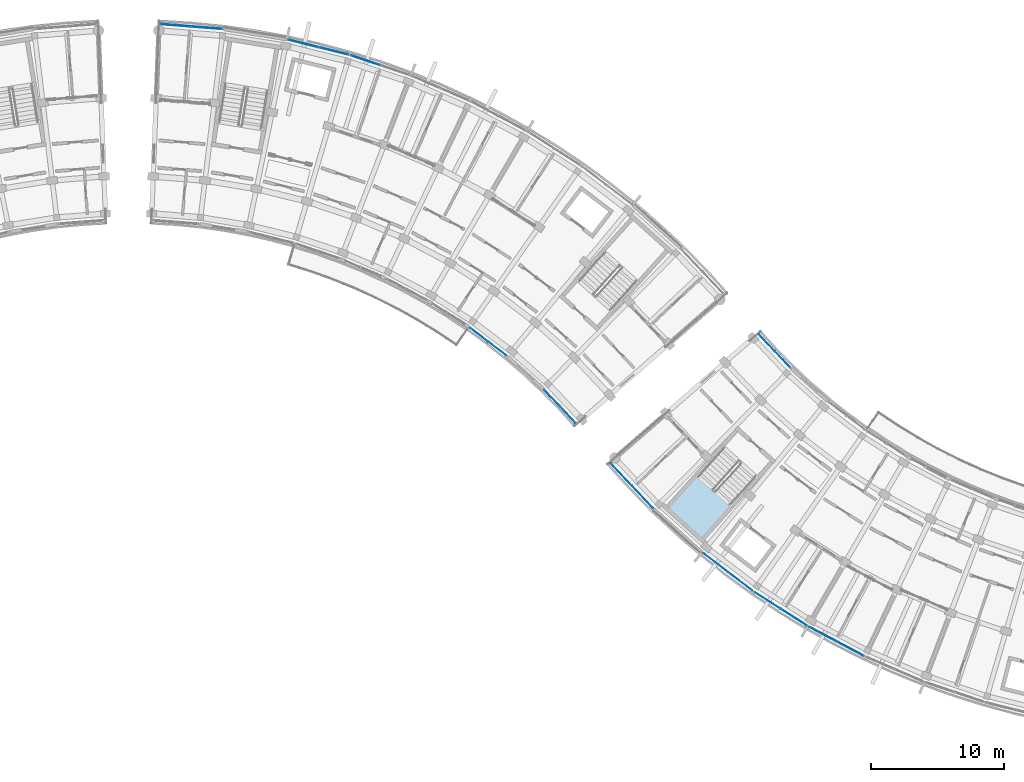
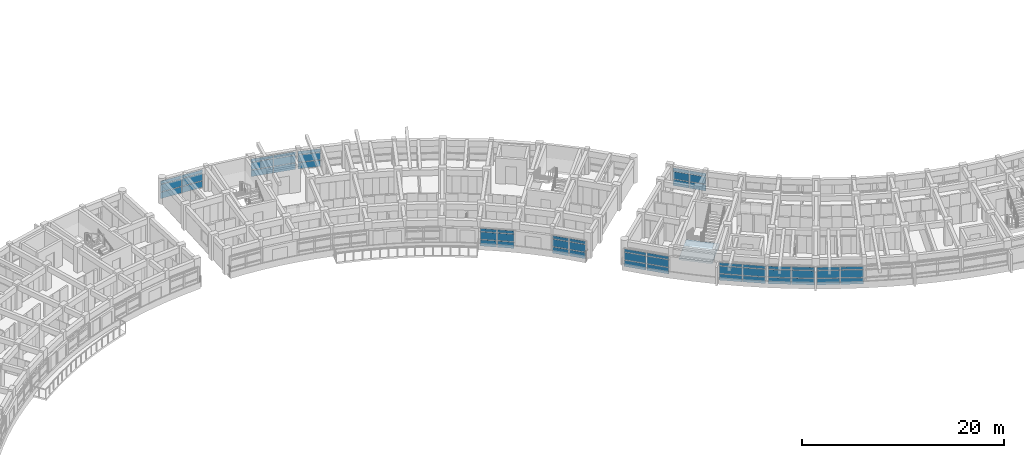
# One storey, part 22 of 56: 57 plates, 1 slab, 11 elements without a shape of their own.
"""IFC4 building model written with IfcOpenShell, lengths in metres."""

from ifc_helpers import new_model, si_unit, direction, frame, origin, origin_2d, place, context, subcontext, project, spatial, polyline, rectangle, outline, extrude, material, layer, layer_set, type_object, element, aggregate, save


model = new_model("IFC4")

# Units and contexts
model_context = context("Model", 3, precision=1e-05, world=origin(), true_north=direction((0.0, 1.0)))
body_context = subcontext(model_context, "Body", "Model", "MODEL_VIEW")
ifc_project = project(units=[si_unit("LENGTHUNIT", "METRE"), si_unit("AREAUNIT", "SQUARE_METRE"), si_unit("VOLUMEUNIT", "CUBIC_METRE"), si_unit("PLANEANGLEUNIT", "RADIAN"), si_unit("MASSUNIT", "GRAM", prefix="KILO")], contexts=[model_context])

# Site, building, storey
site_placement = place(None, origin())
site = spatial("IfcSite", under=ifc_project, at=site_placement, CompositionType="ELEMENT")
building_placement = place(site_placement, origin())
building = spatial("IfcBuilding", under=site, at=building_placement, Name="Zimvara Arc Housing Community", CompositionType="ELEMENT")
storey_placement = place(building_placement, frame((0.0, 0.0, 17.39990234375)))
storey = spatial("IfcBuildingStorey", under=building, at=storey_placement, Name="L05", CompositionType="ELEMENT", Elevation=17.39990234375)

# Curtain wall, plates
ifc_material_1 = material(Name="Anodised Aluminium AW-6063", Category="aluminium")
curtain_wall_type_1 = type_object("IfcCurtainWallType", Name="CW-SYS-08", PredefinedType="USERDEFINED", material=ifc_material_1)
curtain_wall_1_placement = place(storey_placement, origin())
curtain_wall_1 = element("IfcCurtainWall", 1, at=curtain_wall_1_placement, inside=storey, type_object=curtain_wall_type_1, Name="cw:blkB:L05:in:b9", ObjectType="CURTAIN WALL", PredefinedType="USERDEFINED")
ifc_material_2 = material(Name="Pale-Gold Anodised Aluminium Spandrel Panel", Category="aluminium")
ifc_layer_1 = layer(ifc_material_2, 0.035888671875)
ifc_layer_set_1 = layer_set([ifc_layer_1], Name="Pale-Gold Anodised Aluminium Spandrel Panel")
plate_type_1 = type_object("IfcPlateType", Name="CWP-GLD-36", PredefinedType="CURTAIN_PANEL", material=ifc_layer_set_1)
plate_1_placement = place(storey_placement, frame((76.831298828125, 75.727294921875, 0.065185546875), z_axis=(0.0, 0.0, 1.0), x_axis=(0.686326805658, -0.727293280483, 0.0)))
plate_1 = element("IfcPlate", 2, at=plate_1_placement, type_object=plate_type_1, Name="CW08 panel 1.1", PredefinedType="CURTAIN_PANEL", context=body_context, shape_type="SweptSolid", body=[
    extrude(rectangle(XDim=1.664306640625, YDim=0.035888671875, at=origin_2d()), origin(), (0.0, 0.0, 1.0), 0.75244140625),
])
plate_2_placement = place(storey_placement, frame((76.831298828125, 75.727294921875, 0.8828125), z_axis=(0.0, 0.0, 1.0), x_axis=(0.686326805658, -0.727293280483, 0.0)))
plate_2 = element("IfcPlate", 3, at=plate_2_placement, type_object=plate_type_1, Name="CW08 panel 1.2", PredefinedType="CURTAIN_PANEL", context=body_context, shape_type="SweptSolid", body=[
    extrude(rectangle(XDim=1.664306640625, YDim=0.035888671875, at=origin_2d()), origin(), (0.0, 0.0, 1.0), 0.885009765625),
])
plate_3_placement = place(storey_placement, frame((76.831298828125, 75.727294921875, 1.83251953125), z_axis=(0.0, 0.0, 1.0), x_axis=(0.686326805658, -0.727293280483, 0.0)))
plate_3 = element("IfcPlate", 4, at=plate_3_placement, type_object=plate_type_1, Name="CW08 panel 1.3", PredefinedType="CURTAIN_PANEL", context=body_context, shape_type="SweptSolid", body=[
    extrude(rectangle(XDim=1.664306640625, YDim=0.035888671875, at=origin_2d()), origin(), (0.0, 0.0, 1.0), 0.3525390625),
])
plate_4_placement = place(storey_placement, frame((78.018310546875, 74.469482421875, 0.065185546875), z_axis=(0.0, 0.0, 1.0), x_axis=(0.686326805658, -0.727293280483, 0.0)))
plate_4 = element("IfcPlate", 5, at=plate_4_placement, type_object=plate_type_1, Name="CW08 panel 2.1", PredefinedType="CURTAIN_PANEL", context=body_context, shape_type="SweptSolid", body=[
    extrude(rectangle(XDim=1.664306640625, YDim=0.035888671875, at=origin_2d()), origin(), (0.0, 0.0, 1.0), 0.75244140625),
])
plate_5_placement = place(storey_placement, frame((78.018310546875, 74.469482421875, 0.8828125), z_axis=(0.0, 0.0, 1.0), x_axis=(0.686326805658, -0.727293280483, 0.0)))
plate_5 = element("IfcPlate", 6, at=plate_5_placement, type_object=plate_type_1, Name="CW08 panel 2.2", PredefinedType="CURTAIN_PANEL", context=body_context, shape_type="SweptSolid", body=[
    extrude(rectangle(XDim=1.664306640625, YDim=0.035888671875, at=origin_2d()), origin(), (0.0, 0.0, 1.0), 0.885009765625),
])
plate_6_placement = place(storey_placement, frame((78.018310546875, 74.469482421875, 1.83251953125), z_axis=(0.0, 0.0, 1.0), x_axis=(0.686326805658, -0.727293280483, 0.0)))
plate_6 = element("IfcPlate", 7, at=plate_6_placement, type_object=plate_type_1, Name="CW08 panel 2.3", PredefinedType="CURTAIN_PANEL", context=body_context, shape_type="SweptSolid", body=[
    extrude(rectangle(XDim=1.664306640625, YDim=0.035888671875, at=origin_2d()), origin(), (0.0, 0.0, 1.0), 0.3525390625),
])
aggregate(curtain_wall_1, [plate_1, plate_2, plate_3, plate_4, plate_5, plate_6])

curtain_wall_2_placement = place(storey_placement, origin())
curtain_wall_2 = element("IfcCurtainWall", 8, at=curtain_wall_2_placement, inside=storey, type_object=curtain_wall_type_1, Name="cw:blkC:L05:in:b0", ObjectType="CURTAIN WALL", PredefinedType="USERDEFINED")
plate_7_placement = place(storey_placement, frame((92.961669921875, 79.890625, 0.065185546875), z_axis=(0.0, 0.0, 1.0), x_axis=(0.686326805658, -0.727293280483, 0.0)))
plate_7 = element("IfcPlate", 9, at=plate_7_placement, type_object=plate_type_1, Name="CW08 panel 1.1", PredefinedType="CURTAIN_PANEL", context=body_context, shape_type="SweptSolid", body=[
    extrude(rectangle(XDim=1.664306640625, YDim=0.035888671875, at=origin_2d()), origin(), (0.0, 0.0, 1.0), 0.75244140625),
])
plate_8_placement = place(storey_placement, frame((92.961669921875, 79.890625, 0.8828125), z_axis=(0.0, 0.0, 1.0), x_axis=(0.686326805658, -0.727293280483, 0.0)))
plate_8 = element("IfcPlate", 10, at=plate_8_placement, type_object=plate_type_1, Name="CW08 panel 1.2", PredefinedType="CURTAIN_PANEL", context=body_context, shape_type="SweptSolid", body=[
    extrude(rectangle(XDim=1.664306640625, YDim=0.035888671875, at=origin_2d()), origin(), (0.0, 0.0, 1.0), 0.885009765625),
])
plate_9_placement = place(storey_placement, frame((92.961669921875, 79.890625, 1.83251953125), z_axis=(0.0, 0.0, 1.0), x_axis=(0.686326805658, -0.727293280483, 0.0)))
plate_9 = element("IfcPlate", 11, at=plate_9_placement, type_object=plate_type_1, Name="CW08 panel 1.3", PredefinedType="CURTAIN_PANEL", context=body_context, shape_type="SweptSolid", body=[
    extrude(rectangle(XDim=1.664306640625, YDim=0.035888671875, at=origin_2d()), origin(), (0.0, 0.0, 1.0), 0.3525390625),
])
plate_10_placement = place(storey_placement, frame((94.148681640625, 78.6328125, 0.065185546875), z_axis=(0.0, 0.0, 1.0), x_axis=(0.686326805658, -0.727293280483, 0.0)))
plate_10 = element("IfcPlate", 12, at=plate_10_placement, type_object=plate_type_1, Name="CW08 panel 2.1", PredefinedType="CURTAIN_PANEL", context=body_context, shape_type="SweptSolid", body=[
    extrude(rectangle(XDim=1.664306640625, YDim=0.035888671875, at=origin_2d()), origin(), (0.0, 0.0, 1.0), 0.75244140625),
])
plate_11_placement = place(storey_placement, frame((94.148681640625, 78.6328125, 0.8828125), z_axis=(0.0, 0.0, 1.0), x_axis=(0.686326805658, -0.727293280483, 0.0)))
plate_11 = element("IfcPlate", 13, at=plate_11_placement, type_object=plate_type_1, Name="CW08 panel 2.2", PredefinedType="CURTAIN_PANEL", context=body_context, shape_type="SweptSolid", body=[
    extrude(rectangle(XDim=1.664306640625, YDim=0.035888671875, at=origin_2d()), origin(), (0.0, 0.0, 1.0), 0.885009765625),
])
plate_12_placement = place(storey_placement, frame((94.148681640625, 78.6328125, 1.83251953125), z_axis=(0.0, 0.0, 1.0), x_axis=(0.686326805658, -0.727293280483, 0.0)))
plate_12 = element("IfcPlate", 14, at=plate_12_placement, type_object=plate_type_1, Name="CW08 panel 2.3", PredefinedType="CURTAIN_PANEL", context=body_context, shape_type="SweptSolid", body=[
    extrude(rectangle(XDim=1.664306640625, YDim=0.035888671875, at=origin_2d()), origin(), (0.0, 0.0, 1.0), 0.3525390625),
])
aggregate(curtain_wall_2, [plate_7, plate_8, plate_9, plate_10, plate_11, plate_12])

ifc_material_3 = material(Name="Anodised Aluminium AW-6063", Category="aluminium")
curtain_wall_type_2 = type_object("IfcCurtainWallType", Name="CW-SYS-05", PredefinedType="USERDEFINED", material=ifc_material_3)
curtain_wall_3_placement = place(storey_placement, origin())
curtain_wall_3 = element("IfcCurtainWall", 15, at=curtain_wall_3_placement, inside=storey, type_object=curtain_wall_type_2, Name="cw:blkB:L05:out:b2", ObjectType="CURTAIN WALL", PredefinedType="USERDEFINED")
ifc_material_4 = material(Name="Solar Control Low-E Double Glazing", Category="glass")
ifc_layer_2 = layer(ifc_material_4, 0.02392578125)
ifc_layer_set_2 = layer_set([ifc_layer_2], Name="Solar Control Low-E Double Glazing")
plate_type_2 = type_object("IfcPlateType", Name="CWP-GLZ-24", PredefinedType="CURTAIN_PANEL", material=ifc_layer_set_2)
plate_13_placement = place(storey_placement, frame((58.12109375, 102.373291015625, 0.065185546875), z_axis=(0.0, 0.0, 1.0), x_axis=(0.970716068627, -0.240229711131, 0.0)))
plate_13 = element("IfcPlate", 16, at=plate_13_placement, type_object=plate_type_2, Name="CW05 panel 1.1", PredefinedType="CURTAIN_PANEL", context=body_context, shape_type="SweptSolid", body=[
    extrude(rectangle(XDim=2.266845703125, YDim=0.02392578125, at=origin_2d()), origin(), (0.0, 0.0, 1.0), 0.75244140625),
])
plate_14_placement = place(storey_placement, frame((58.12109375, 102.373291015625, 0.8828125), z_axis=(0.0, 0.0, 1.0), x_axis=(0.970716068627, -0.240229711131, 0.0)))
plate_14 = element("IfcPlate", 17, at=plate_14_placement, type_object=plate_type_2, Name="CW05 panel 1.2", PredefinedType="CURTAIN_PANEL", context=body_context, shape_type="SweptSolid", body=[
    extrude(rectangle(XDim=2.266845703125, YDim=0.02392578125, at=origin_2d()), origin(), (0.0, 0.0, 1.0), 0.885009765625),
])
plate_15_placement = place(storey_placement, frame((58.12109375, 102.373291015625, 1.83251953125), z_axis=(0.0, 0.0, 1.0), x_axis=(0.970716068627, -0.240229711131, 0.0)))
plate_15 = element("IfcPlate", 18, at=plate_15_placement, type_object=plate_type_2, Name="CW05 panel 1.3", PredefinedType="CURTAIN_PANEL", context=body_context, shape_type="SweptSolid", body=[
    extrude(rectangle(XDim=2.266845703125, YDim=0.02392578125, at=origin_2d()), origin(), (0.0, 0.0, 1.0), 0.3525390625),
])
plate_16_placement = place(storey_placement, frame((60.384765625, 101.81298828125, 0.065185546875), z_axis=(0.0, 0.0, 1.0), x_axis=(0.970716068627, -0.240229711131, 0.0)))
plate_16 = element("IfcPlate", 19, at=plate_16_placement, type_object=plate_type_2, Name="CW05 panel 2.1", PredefinedType="CURTAIN_PANEL", context=body_context, shape_type="SweptSolid", body=[
    extrude(rectangle(XDim=2.266845703125, YDim=0.02392578125, at=origin_2d()), origin(), (0.0, 0.0, 1.0), 0.75244140625),
])
plate_17_placement = place(storey_placement, frame((60.384765625, 101.81298828125, 0.8828125), z_axis=(0.0, 0.0, 1.0), x_axis=(0.970716068627, -0.240229711131, 0.0)))
plate_17 = element("IfcPlate", 20, at=plate_17_placement, type_object=plate_type_2, Name="CW05 panel 2.2", PredefinedType="CURTAIN_PANEL", context=body_context, shape_type="SweptSolid", body=[
    extrude(rectangle(XDim=2.266845703125, YDim=0.02392578125, at=origin_2d()), origin(), (0.0, 0.0, 1.0), 0.885009765625),
])
plate_18_placement = place(storey_placement, frame((60.384765625, 101.81298828125, 1.83251953125), z_axis=(0.0, 0.0, 1.0), x_axis=(0.970716068627, -0.240229711131, 0.0)))
plate_18 = element("IfcPlate", 21, at=plate_18_placement, type_object=plate_type_2, Name="CW05 panel 2.3", PredefinedType="CURTAIN_PANEL", context=body_context, shape_type="SweptSolid", body=[
    extrude(rectangle(XDim=2.266845703125, YDim=0.02392578125, at=origin_2d()), origin(), (0.0, 0.0, 1.0), 0.3525390625),
])
aggregate(curtain_wall_3, [plate_13, plate_14, plate_15, plate_16, plate_17, plate_18])

ifc_material_5 = material(Name="Anodised Aluminium AW-6063", Category="aluminium")
curtain_wall_type_3 = type_object("IfcCurtainWallType", Name="CW-SYS-01", PredefinedType="USERDEFINED", material=ifc_material_5)
curtain_wall_4_placement = place(storey_placement, origin())
curtain_wall_4 = element("IfcCurtainWall", 22, at=curtain_wall_4_placement, inside=storey, type_object=curtain_wall_type_3, Name="cw:blkC:L05:out:b2", ObjectType="CURTAIN WALL", PredefinedType="USERDEFINED")
plate_19_placement = place(storey_placement, frame((89.098876953125, 63.370849609375, 0.065185546875), z_axis=(0.0, 0.0, 1.0), x_axis=(0.795473999177, -0.60598771987, 0.0)))
plate_19 = element("IfcPlate", 23, at=plate_19_placement, type_object=plate_type_2, Name="CW01 panel 1.1", PredefinedType="CURTAIN_PANEL", context=body_context, shape_type="SweptSolid", body=[
    extrude(rectangle(XDim=2.266845703125, YDim=0.02392578125, at=origin_2d()), origin(), (0.0, 0.0, 1.0), 0.75244140625),
])
plate_20_placement = place(storey_placement, frame((89.098876953125, 63.370849609375, 0.8828125), z_axis=(0.0, 0.0, 1.0), x_axis=(0.795473999177, -0.60598771987, 0.0)))
plate_20 = element("IfcPlate", 24, at=plate_20_placement, type_object=plate_type_2, Name="CW01 panel 1.2", PredefinedType="CURTAIN_PANEL", context=body_context, shape_type="SweptSolid", body=[
    extrude(rectangle(XDim=2.266845703125, YDim=0.02392578125, at=origin_2d()), origin(), (0.0, 0.0, 1.0), 0.885009765625),
])
plate_21_placement = place(storey_placement, frame((89.098876953125, 63.370849609375, 1.83251953125), z_axis=(0.0, 0.0, 1.0), x_axis=(0.795473999177, -0.60598771987, 0.0)))
plate_21 = element("IfcPlate", 25, at=plate_21_placement, type_object=plate_type_2, Name="CW01 panel 1.3", PredefinedType="CURTAIN_PANEL", context=body_context, shape_type="SweptSolid", body=[
    extrude(rectangle(XDim=2.266845703125, YDim=0.02392578125, at=origin_2d()), origin(), (0.0, 0.0, 1.0), 0.3525390625),
])
plate_22_placement = place(storey_placement, frame((90.953857421875, 61.95751953125, 0.065185546875), z_axis=(0.0, 0.0, 1.0), x_axis=(0.795473999177, -0.60598771987, 0.0)))
plate_22 = element("IfcPlate", 26, at=plate_22_placement, type_object=plate_type_2, Name="CW01 panel 2.1", PredefinedType="CURTAIN_PANEL", context=body_context, shape_type="SweptSolid", body=[
    extrude(rectangle(XDim=2.266845703125, YDim=0.02392578125, at=origin_2d()), origin(), (0.0, 0.0, 1.0), 0.75244140625),
])
plate_23_placement = place(storey_placement, frame((90.953857421875, 61.95751953125, 0.8828125), z_axis=(0.0, 0.0, 1.0), x_axis=(0.795473999177, -0.60598771987, 0.0)))
plate_23 = element("IfcPlate", 27, at=plate_23_placement, type_object=plate_type_2, Name="CW01 panel 2.2", PredefinedType="CURTAIN_PANEL", context=body_context, shape_type="SweptSolid", body=[
    extrude(rectangle(XDim=2.266845703125, YDim=0.02392578125, at=origin_2d()), origin(), (0.0, 0.0, 1.0), 0.885009765625),
])
plate_24_placement = place(storey_placement, frame((90.953857421875, 61.95751953125, 1.83251953125), z_axis=(0.0, 0.0, 1.0), x_axis=(0.795473999177, -0.60598771987, 0.0)))
plate_24 = element("IfcPlate", 28, at=plate_24_placement, type_object=plate_type_2, Name="CW01 panel 2.3", PredefinedType="CURTAIN_PANEL", context=body_context, shape_type="SweptSolid", body=[
    extrude(rectangle(XDim=2.266845703125, YDim=0.02392578125, at=origin_2d()), origin(), (0.0, 0.0, 1.0), 0.3525390625),
])
aggregate(curtain_wall_4, [plate_19, plate_20, plate_21, plate_22, plate_23, plate_24])

curtain_wall_5_placement = place(storey_placement, origin())
curtain_wall_5 = element("IfcCurtainWall", 29, at=curtain_wall_5_placement, inside=storey, type_object=curtain_wall_type_2, Name="cw:blkC:L05:out:b4", ObjectType="CURTAIN WALL", PredefinedType="USERDEFINED")
plate_25_placement = place(storey_placement, frame((97.15087890625, 57.991455078125, 0.065185546875), z_axis=(0.0, 0.0, 1.0), x_axis=(0.883438614651, -0.468546917761, 0.0)))
plate_25 = element("IfcPlate", 30, at=plate_25_placement, type_object=plate_type_2, Name="CW05 panel 1.1", PredefinedType="CURTAIN_PANEL", context=body_context, shape_type="SweptSolid", body=[
    extrude(rectangle(XDim=2.266845703125, YDim=0.02392578125, at=origin_2d()), origin(), (0.0, 0.0, 1.0), 0.75244140625),
])
plate_26_placement = place(storey_placement, frame((97.15087890625, 57.991455078125, 0.8828125), z_axis=(0.0, 0.0, 1.0), x_axis=(0.883438614651, -0.468546917761, 0.0)))
plate_26 = element("IfcPlate", 31, at=plate_26_placement, type_object=plate_type_2, Name="CW05 panel 1.2", PredefinedType="CURTAIN_PANEL", context=body_context, shape_type="SweptSolid", body=[
    extrude(rectangle(XDim=2.266845703125, YDim=0.02392578125, at=origin_2d()), origin(), (0.0, 0.0, 1.0), 0.885009765625),
])
plate_27_placement = place(storey_placement, frame((97.15087890625, 57.991455078125, 1.83251953125), z_axis=(0.0, 0.0, 1.0), x_axis=(0.883438614651, -0.468546917761, 0.0)))
plate_27 = element("IfcPlate", 32, at=plate_27_placement, type_object=plate_type_2, Name="CW05 panel 1.3", PredefinedType="CURTAIN_PANEL", context=body_context, shape_type="SweptSolid", body=[
    extrude(rectangle(XDim=2.266845703125, YDim=0.02392578125, at=origin_2d()), origin(), (0.0, 0.0, 1.0), 0.3525390625),
])
plate_28_placement = place(storey_placement, frame((99.2109375, 56.89892578125, 0.065185546875), z_axis=(0.0, 0.0, 1.0), x_axis=(0.883438614651, -0.468546917761, 0.0)))
plate_28 = element("IfcPlate", 33, at=plate_28_placement, type_object=plate_type_2, Name="CW05 panel 2.1", PredefinedType="CURTAIN_PANEL", context=body_context, shape_type="SweptSolid", body=[
    extrude(rectangle(XDim=2.266845703125, YDim=0.02392578125, at=origin_2d()), origin(), (0.0, 0.0, 1.0), 0.75244140625),
])
plate_29_placement = place(storey_placement, frame((99.2109375, 56.89892578125, 0.8828125), z_axis=(0.0, 0.0, 1.0), x_axis=(0.883438614651, -0.468546917761, 0.0)))
plate_29 = element("IfcPlate", 34, at=plate_29_placement, type_object=plate_type_2, Name="CW05 panel 2.2", PredefinedType="CURTAIN_PANEL", context=body_context, shape_type="SweptSolid", body=[
    extrude(rectangle(XDim=2.266845703125, YDim=0.02392578125, at=origin_2d()), origin(), (0.0, 0.0, 1.0), 0.885009765625),
])
plate_30_placement = place(storey_placement, frame((99.2109375, 56.89892578125, 1.83251953125), z_axis=(0.0, 0.0, 1.0), x_axis=(0.883438614651, -0.468546917761, 0.0)))
plate_30 = element("IfcPlate", 35, at=plate_30_placement, type_object=plate_type_2, Name="CW05 panel 2.3", PredefinedType="CURTAIN_PANEL", context=body_context, shape_type="SweptSolid", body=[
    extrude(rectangle(XDim=2.266845703125, YDim=0.02392578125, at=origin_2d()), origin(), (0.0, 0.0, 1.0), 0.3525390625),
])
aggregate(curtain_wall_5, [plate_25, plate_26, plate_27, plate_28, plate_29, plate_30])

ifc_material_6 = material(Name="Anodised Aluminium AW-6063", Category="aluminium")
curtain_wall_type_4 = type_object("IfcCurtainWallType", Name="CW-SYS-06", PredefinedType="USERDEFINED", material=ifc_material_6)
curtain_wall_6_placement = place(storey_placement, origin())
curtain_wall_6 = element("IfcCurtainWall", 36, at=curtain_wall_6_placement, inside=storey, type_object=curtain_wall_type_4, Name="cw:blkB:L05:in:b7", ObjectType="CURTAIN WALL", PredefinedType="USERDEFINED")
ifc_material_7 = material(Name="Solar Control Low-E Double Glazing", Category="glass")
ifc_layer_3 = layer(ifc_material_7, 0.028076171875)
ifc_layer_set_3 = layer_set([ifc_layer_3], Name="Solar Control Low-E Double Glazing")
plate_type_3 = type_object("IfcPlateType", Name="CWP-GLZ-28", PredefinedType="CURTAIN_PANEL", material=ifc_layer_set_3)
plate_31_placement = place(storey_placement, frame((71.328857421875, 80.48828125, 0.065185546875), z_axis=(0.0, 0.0, 1.0), x_axis=(0.795473543119, -0.605988318533, 0.0)))
plate_31 = element("IfcPlate", 37, at=plate_31_placement, type_object=plate_type_3, Name="CW06 panel 1.1", PredefinedType="CURTAIN_PANEL", context=body_context, shape_type="SweptSolid", body=[
    extrude(rectangle(XDim=1.664306640625, YDim=0.028076171875, at=origin_2d()), origin(), (0.0, 0.0, 1.0), 0.75244140625),
])
plate_32_placement = place(storey_placement, frame((71.328857421875, 80.48828125, 0.8828125), z_axis=(0.0, 0.0, 1.0), x_axis=(0.795473543119, -0.605988318533, 0.0)))
plate_32 = element("IfcPlate", 38, at=plate_32_placement, type_object=plate_type_3, Name="CW06 panel 1.2", PredefinedType="CURTAIN_PANEL", context=body_context, shape_type="SweptSolid", body=[
    extrude(rectangle(XDim=1.664306640625, YDim=0.028076171875, at=origin_2d()), origin(), (0.0, 0.0, 1.0), 0.885009765625),
])
plate_33_placement = place(storey_placement, frame((71.328857421875, 80.48828125, 1.83251953125), z_axis=(0.0, 0.0, 1.0), x_axis=(0.795473543119, -0.605988318533, 0.0)))
plate_33 = element("IfcPlate", 39, at=plate_33_placement, type_object=plate_type_3, Name="CW06 panel 1.3", PredefinedType="CURTAIN_PANEL", context=body_context, shape_type="SweptSolid", body=[
    extrude(rectangle(XDim=1.664306640625, YDim=0.028076171875, at=origin_2d()), origin(), (0.0, 0.0, 1.0), 0.3525390625),
])
plate_34_placement = place(storey_placement, frame((72.704345703125, 79.4404296875, 0.065185546875), z_axis=(0.0, 0.0, 1.0), x_axis=(0.795473543119, -0.605988318533, 0.0)))
plate_34 = element("IfcPlate", 40, at=plate_34_placement, type_object=plate_type_3, Name="CW06 panel 2.1", PredefinedType="CURTAIN_PANEL", context=body_context, shape_type="SweptSolid", body=[
    extrude(rectangle(XDim=1.664306640625, YDim=0.028076171875, at=origin_2d()), origin(), (0.0, 0.0, 1.0), 0.75244140625),
])
plate_35_placement = place(storey_placement, frame((72.704345703125, 79.4404296875, 0.8828125), z_axis=(0.0, 0.0, 1.0), x_axis=(0.795473543119, -0.605988318533, 0.0)))
plate_35 = element("IfcPlate", 41, at=plate_35_placement, type_object=plate_type_3, Name="CW06 panel 2.2", PredefinedType="CURTAIN_PANEL", context=body_context, shape_type="SweptSolid", body=[
    extrude(rectangle(XDim=1.664306640625, YDim=0.028076171875, at=origin_2d()), origin(), (0.0, 0.0, 1.0), 0.885009765625),
])
plate_36_placement = place(storey_placement, frame((72.704345703125, 79.4404296875, 1.83251953125), z_axis=(0.0, 0.0, 1.0), x_axis=(0.795473543119, -0.605988318533, 0.0)))
plate_36 = element("IfcPlate", 42, at=plate_36_placement, type_object=plate_type_3, Name="CW06 panel 2.3", PredefinedType="CURTAIN_PANEL", context=body_context, shape_type="SweptSolid", body=[
    extrude(rectangle(XDim=1.664306640625, YDim=0.028076171875, at=origin_2d()), origin(), (0.0, 0.0, 1.0), 0.3525390625),
])
aggregate(curtain_wall_6, [plate_31, plate_32, plate_33, plate_34, plate_35, plate_36])

ifc_material_8 = material(Name="Anodised Aluminium AW-6063", Category="aluminium")
curtain_wall_type_5 = type_object("IfcCurtainWallType", Name="CW-SYS-03", PredefinedType="USERDEFINED", material=ifc_material_8)
curtain_wall_7_placement = place(storey_placement, origin())
curtain_wall_7 = element("IfcCurtainWall", 43, at=curtain_wall_7_placement, inside=storey, type_object=curtain_wall_type_5, Name="cw:blkB:L05:out:b0", ObjectType="CURTAIN WALL", PredefinedType="USERDEFINED")
ifc_material_9 = material(Name="Acoustic Laminated Solar Glazing", Category="glass")
ifc_layer_4 = layer(ifc_material_9, 0.031982421875)
ifc_layer_set_4 = layer_set([ifc_layer_4], Name="Acoustic Laminated Solar Glazing")
plate_type_4 = type_object("IfcPlateType", Name="CWP-GLZ-32", PredefinedType="CURTAIN_PANEL", material=ifc_layer_set_4)
plate_37_placement = place(storey_placement, frame((48.533935546875, 103.736572265625, 0.065185546875), z_axis=(0.0, 0.0, 1.0), x_axis=(0.996862418963, -0.079153759607, 0.0)))
plate_37 = element("IfcPlate", 44, at=plate_37_placement, type_object=plate_type_4, Name="CW03 panel 1.1", PredefinedType="CURTAIN_PANEL", context=body_context, shape_type="SweptSolid", body=[
    extrude(rectangle(XDim=2.266845703125, YDim=0.031982421875, at=origin_2d()), origin(), (0.0, 0.0, 1.0), 0.75244140625),
])
plate_38_placement = place(storey_placement, frame((48.533935546875, 103.736572265625, 0.8828125), z_axis=(0.0, 0.0, 1.0), x_axis=(0.996862418963, -0.079153759607, 0.0)))
plate_38 = element("IfcPlate", 45, at=plate_38_placement, type_object=plate_type_4, Name="CW03 panel 1.2", PredefinedType="CURTAIN_PANEL", context=body_context, shape_type="SweptSolid", body=[
    extrude(rectangle(XDim=2.266845703125, YDim=0.031982421875, at=origin_2d()), origin(), (0.0, 0.0, 1.0), 0.885009765625),
])
plate_39_placement = place(storey_placement, frame((48.533935546875, 103.736572265625, 1.83251953125), z_axis=(0.0, 0.0, 1.0), x_axis=(0.996862418963, -0.079153759607, 0.0)))
plate_39 = element("IfcPlate", 46, at=plate_39_placement, type_object=plate_type_4, Name="CW03 panel 1.3", PredefinedType="CURTAIN_PANEL", context=body_context, shape_type="SweptSolid", body=[
    extrude(rectangle(XDim=2.266845703125, YDim=0.031982421875, at=origin_2d()), origin(), (0.0, 0.0, 1.0), 0.3525390625),
])
plate_40_placement = place(storey_placement, frame((50.858642578125, 103.552001953125, 0.065185546875), z_axis=(0.0, 0.0, 1.0), x_axis=(0.996862418963, -0.079153759607, 0.0)))
plate_40 = element("IfcPlate", 47, at=plate_40_placement, type_object=plate_type_4, Name="CW03 panel 2.1", PredefinedType="CURTAIN_PANEL", context=body_context, shape_type="SweptSolid", body=[
    extrude(rectangle(XDim=2.266845703125, YDim=0.031982421875, at=origin_2d()), origin(), (0.0, 0.0, 1.0), 0.75244140625),
])
plate_41_placement = place(storey_placement, frame((50.858642578125, 103.552001953125, 0.8828125), z_axis=(0.0, 0.0, 1.0), x_axis=(0.996862418963, -0.079153759607, 0.0)))
plate_41 = element("IfcPlate", 48, at=plate_41_placement, type_object=plate_type_4, Name="CW03 panel 2.2", PredefinedType="CURTAIN_PANEL", context=body_context, shape_type="SweptSolid", body=[
    extrude(rectangle(XDim=2.266845703125, YDim=0.031982421875, at=origin_2d()), origin(), (0.0, 0.0, 1.0), 0.885009765625),
])
plate_42_placement = place(storey_placement, frame((50.858642578125, 103.552001953125, 1.83251953125), z_axis=(0.0, 0.0, 1.0), x_axis=(0.996862418963, -0.079153759607, 0.0)))
plate_42 = element("IfcPlate", 49, at=plate_42_placement, type_object=plate_type_4, Name="CW03 panel 2.3", PredefinedType="CURTAIN_PANEL", context=body_context, shape_type="SweptSolid", body=[
    extrude(rectangle(XDim=2.266845703125, YDim=0.031982421875, at=origin_2d()), origin(), (0.0, 0.0, 1.0), 0.3525390625),
])
aggregate(curtain_wall_7, [plate_37, plate_38, plate_39, plate_40, plate_41, plate_42])

ifc_material_10 = material(Name="Anodised Aluminium AW-6063", Category="aluminium")
curtain_wall_type_6 = type_object("IfcCurtainWallType", Name="CW-SYS-07", PredefinedType="USERDEFINED", material=ifc_material_10)
curtain_wall_8_placement = place(storey_placement, origin())
curtain_wall_8 = element("IfcCurtainWall", 50, at=curtain_wall_8_placement, inside=storey, type_object=curtain_wall_type_6, Name="cw:blkB:L05:out:b3", ObjectType="CURTAIN WALL", PredefinedType="USERDEFINED")
plate_43_placement = place(storey_placement, frame((62.799072265625, 101.109619140625, 0.065185546875), z_axis=(0.0, 0.0, 1.0), x_axis=(0.947879647164, -0.318628583921, 0.0)))
plate_43 = element("IfcPlate", 51, at=plate_43_placement, type_object=plate_type_4, Name="CW07 panel 1.1", PredefinedType="CURTAIN_PANEL", context=body_context, shape_type="SweptSolid", body=[
    extrude(rectangle(XDim=2.266845703125, YDim=0.031982421875, at=origin_2d()), origin(), (0.0, 0.0, 1.0), 0.75244140625),
])
plate_44_placement = place(storey_placement, frame((62.799072265625, 101.109619140625, 0.8828125), z_axis=(0.0, 0.0, 1.0), x_axis=(0.947879647164, -0.318628583921, 0.0)))
plate_44 = element("IfcPlate", 52, at=plate_44_placement, type_object=plate_type_4, Name="CW07 panel 1.2", PredefinedType="CURTAIN_PANEL", context=body_context, shape_type="SweptSolid", body=[
    extrude(rectangle(XDim=2.266845703125, YDim=0.031982421875, at=origin_2d()), origin(), (0.0, 0.0, 1.0), 0.885009765625),
])
plate_45_placement = place(storey_placement, frame((62.799072265625, 101.109619140625, 1.83251953125), z_axis=(0.0, 0.0, 1.0), x_axis=(0.947879647164, -0.318628583921, 0.0)))
plate_45 = element("IfcPlate", 53, at=plate_45_placement, type_object=plate_type_4, Name="CW07 panel 1.3", PredefinedType="CURTAIN_PANEL", context=body_context, shape_type="SweptSolid", body=[
    extrude(rectangle(XDim=2.266845703125, YDim=0.031982421875, at=origin_2d()), origin(), (0.0, 0.0, 1.0), 0.3525390625),
])
aggregate(curtain_wall_8, [plate_43, plate_44, plate_45])

curtain_wall_9_placement = place(storey_placement, origin())
curtain_wall_9 = element("IfcCurtainWall", 54, at=curtain_wall_9_placement, inside=storey, type_object=curtain_wall_type_6, Name="cw:blkC:L05:out:b0", ObjectType="CURTAIN WALL", PredefinedType="USERDEFINED")
plate_46_placement = place(storey_placement, frame((82.029052734375, 69.988037109375, 0.065185546875), z_axis=(0.0, 0.0, 1.0), x_axis=(0.686326416495, -0.727293647725, 0.0)))
plate_46 = element("IfcPlate", 55, at=plate_46_placement, type_object=plate_type_4, Name="CW07 panel 1.1", PredefinedType="CURTAIN_PANEL", context=body_context, shape_type="SweptSolid", body=[
    extrude(rectangle(XDim=2.266845703125, YDim=0.031982421875, at=origin_2d()), origin(), (0.0, 0.0, 1.0), 0.75244140625),
])
plate_47_placement = place(storey_placement, frame((82.029052734375, 69.988037109375, 0.8828125), z_axis=(0.0, 0.0, 1.0), x_axis=(0.686326416495, -0.727293647725, 0.0)))
plate_47 = element("IfcPlate", 56, at=plate_47_placement, type_object=plate_type_4, Name="CW07 panel 1.2", PredefinedType="CURTAIN_PANEL", context=body_context, shape_type="SweptSolid", body=[
    extrude(rectangle(XDim=2.266845703125, YDim=0.031982421875, at=origin_2d()), origin(), (0.0, 0.0, 1.0), 0.885009765625),
])
plate_48_placement = place(storey_placement, frame((82.029052734375, 69.988037109375, 1.83251953125), z_axis=(0.0, 0.0, 1.0), x_axis=(0.686326416495, -0.727293647725, 0.0)))
plate_48 = element("IfcPlate", 57, at=plate_48_placement, type_object=plate_type_4, Name="CW07 panel 1.3", PredefinedType="CURTAIN_PANEL", context=body_context, shape_type="SweptSolid", body=[
    extrude(rectangle(XDim=2.266845703125, YDim=0.031982421875, at=origin_2d()), origin(), (0.0, 0.0, 1.0), 0.3525390625),
])
plate_49_placement = place(storey_placement, frame((83.629638671875, 68.2919921875, 0.065185546875), z_axis=(0.0, 0.0, 1.0), x_axis=(0.686326416495, -0.727293647725, 0.0)))
plate_49 = element("IfcPlate", 58, at=plate_49_placement, type_object=plate_type_4, Name="CW07 panel 2.1", PredefinedType="CURTAIN_PANEL", context=body_context, shape_type="SweptSolid", body=[
    extrude(rectangle(XDim=2.266845703125, YDim=0.031982421875, at=origin_2d()), origin(), (0.0, 0.0, 1.0), 0.75244140625),
])
plate_50_placement = place(storey_placement, frame((83.629638671875, 68.2919921875, 0.8828125), z_axis=(0.0, 0.0, 1.0), x_axis=(0.686326416495, -0.727293647725, 0.0)))
plate_50 = element("IfcPlate", 59, at=plate_50_placement, type_object=plate_type_4, Name="CW07 panel 2.2", PredefinedType="CURTAIN_PANEL", context=body_context, shape_type="SweptSolid", body=[
    extrude(rectangle(XDim=2.266845703125, YDim=0.031982421875, at=origin_2d()), origin(), (0.0, 0.0, 1.0), 0.885009765625),
])
plate_51_placement = place(storey_placement, frame((83.629638671875, 68.2919921875, 1.83251953125), z_axis=(0.0, 0.0, 1.0), x_axis=(0.686326416495, -0.727293647725, 0.0)))
plate_51 = element("IfcPlate", 60, at=plate_51_placement, type_object=plate_type_4, Name="CW07 panel 2.3", PredefinedType="CURTAIN_PANEL", context=body_context, shape_type="SweptSolid", body=[
    extrude(rectangle(XDim=2.266845703125, YDim=0.031982421875, at=origin_2d()), origin(), (0.0, 0.0, 1.0), 0.3525390625),
])
aggregate(curtain_wall_9, [plate_46, plate_47, plate_48, plate_49, plate_50, plate_51])

curtain_wall_10_placement = place(storey_placement, origin())
curtain_wall_10 = element("IfcCurtainWall", 61, at=curtain_wall_10_placement, inside=storey, type_object=curtain_wall_type_5, Name="cw:blkC:L05:out:b3", ObjectType="CURTAIN WALL", PredefinedType="USERDEFINED")
plate_52_placement = place(storey_placement, frame((93.014892578125, 60.5166015625, 0.065185546875), z_axis=(0.0, 0.0, 1.0), x_axis=(0.842264410931, -0.539064617721, 0.0)))
plate_52 = element("IfcPlate", 62, at=plate_52_placement, type_object=plate_type_4, Name="CW03 panel 1.1", PredefinedType="CURTAIN_PANEL", context=body_context, shape_type="SweptSolid", body=[
    extrude(rectangle(XDim=2.266845703125, YDim=0.031982421875, at=origin_2d()), origin(), (0.0, 0.0, 1.0), 0.75244140625),
])
plate_53_placement = place(storey_placement, frame((93.014892578125, 60.5166015625, 0.8828125), z_axis=(0.0, 0.0, 1.0), x_axis=(0.842264410931, -0.539064617721, 0.0)))
plate_53 = element("IfcPlate", 63, at=plate_53_placement, type_object=plate_type_4, Name="CW03 panel 1.2", PredefinedType="CURTAIN_PANEL", context=body_context, shape_type="SweptSolid", body=[
    extrude(rectangle(XDim=2.266845703125, YDim=0.031982421875, at=origin_2d()), origin(), (0.0, 0.0, 1.0), 0.885009765625),
])
plate_54_placement = place(storey_placement, frame((93.014892578125, 60.5166015625, 1.83251953125), z_axis=(0.0, 0.0, 1.0), x_axis=(0.842264410931, -0.539064617721, 0.0)))
plate_54 = element("IfcPlate", 64, at=plate_54_placement, type_object=plate_type_4, Name="CW03 panel 1.3", PredefinedType="CURTAIN_PANEL", context=body_context, shape_type="SweptSolid", body=[
    extrude(rectangle(XDim=2.266845703125, YDim=0.031982421875, at=origin_2d()), origin(), (0.0, 0.0, 1.0), 0.3525390625),
])
plate_55_placement = place(storey_placement, frame((94.97900390625, 59.259521484375, 0.065185546875), z_axis=(0.0, 0.0, 1.0), x_axis=(0.842264410931, -0.539064617721, 0.0)))
plate_55 = element("IfcPlate", 65, at=plate_55_placement, type_object=plate_type_4, Name="CW03 panel 2.1", PredefinedType="CURTAIN_PANEL", context=body_context, shape_type="SweptSolid", body=[
    extrude(rectangle(XDim=2.266845703125, YDim=0.031982421875, at=origin_2d()), origin(), (0.0, 0.0, 1.0), 0.75244140625),
])
plate_56_placement = place(storey_placement, frame((94.97900390625, 59.259521484375, 0.8828125), z_axis=(0.0, 0.0, 1.0), x_axis=(0.842264410931, -0.539064617721, 0.0)))
plate_56 = element("IfcPlate", 66, at=plate_56_placement, type_object=plate_type_4, Name="CW03 panel 2.2", PredefinedType="CURTAIN_PANEL", context=body_context, shape_type="SweptSolid", body=[
    extrude(rectangle(XDim=2.266845703125, YDim=0.031982421875, at=origin_2d()), origin(), (0.0, 0.0, 1.0), 0.885009765625),
])
plate_57_placement = place(storey_placement, frame((94.97900390625, 59.259521484375, 1.83251953125), z_axis=(0.0, 0.0, 1.0), x_axis=(0.842264410931, -0.539064617721, 0.0)))
plate_57 = element("IfcPlate", 67, at=plate_57_placement, type_object=plate_type_4, Name="CW03 panel 2.3", PredefinedType="CURTAIN_PANEL", context=body_context, shape_type="SweptSolid", body=[
    extrude(rectangle(XDim=2.266845703125, YDim=0.031982421875, at=origin_2d()), origin(), (0.0, 0.0, 1.0), 0.3525390625),
])
aggregate(curtain_wall_10, [plate_52, plate_53, plate_54, plate_55, plate_56, plate_57])

# Stair, slab
ifc_material_11 = material(Name="Concrete C35/45", Category="concrete")
stair_type = type_object("IfcStairType", Name="STR-DL-318-310", PredefinedType="HALF_TURN_STAIR", material=ifc_material_11)
stair_placement = place(storey_placement, origin())
stair = element("IfcStair", 68, at=stair_placement, inside=storey, type_object=stair_type, Name="L05 Block C Exit Stair 1", PredefinedType="HALF_TURN_STAIR")
ifc_material_12 = material(Name="Concrete C35/45", Category="concrete")
ifc_layer_5 = layer(ifc_material_12, 0.199951171875)
ifc_layer_set_5 = layer_set([ifc_layer_5], Name="Concrete C35/45")
slab_type = type_object("IfcSlabType", Name="SLB-STAIR-LND-200", PredefinedType="LANDING", material=ifc_layer_set_5)
slab_placement = place(storey_placement, frame((0.0, 0.0, 1.35009765625)))
slab = element("IfcSlab", 69, at=slab_placement, type_object=slab_type, Name="ST-C1 landing 1", PredefinedType="LANDING", context=body_context, shape_type="SweptSolid", body=[
    extrude(outline(polyline([(87.794677734375, 69.932861328125), (85.575439453125, 67.46630859375), (88.0732421875, 65.218994140625), (90.29248046875, 67.685546875), (87.794677734375, 69.932861328125)])), origin(), (0.0, 0.0, 1.0), 0.199951171875),
])
aggregate(stair, [slab])

save(model, "model.ifc")
